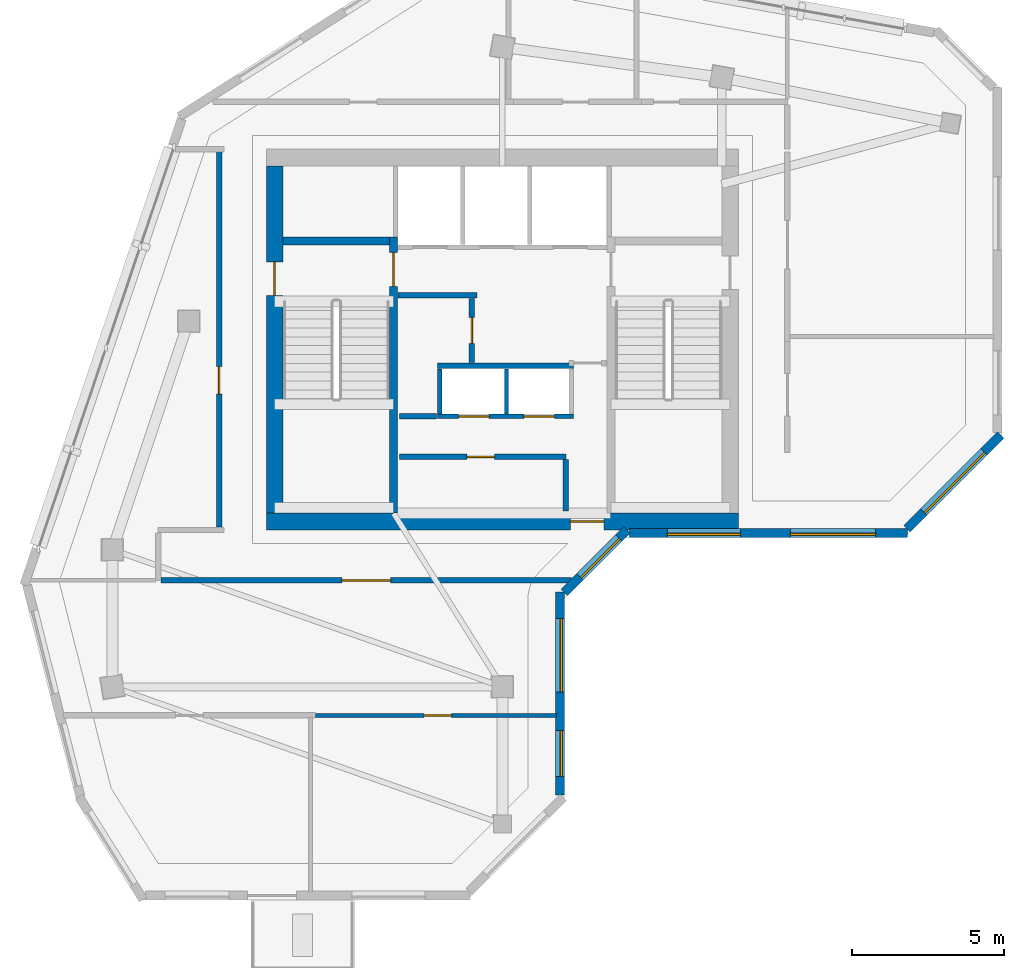
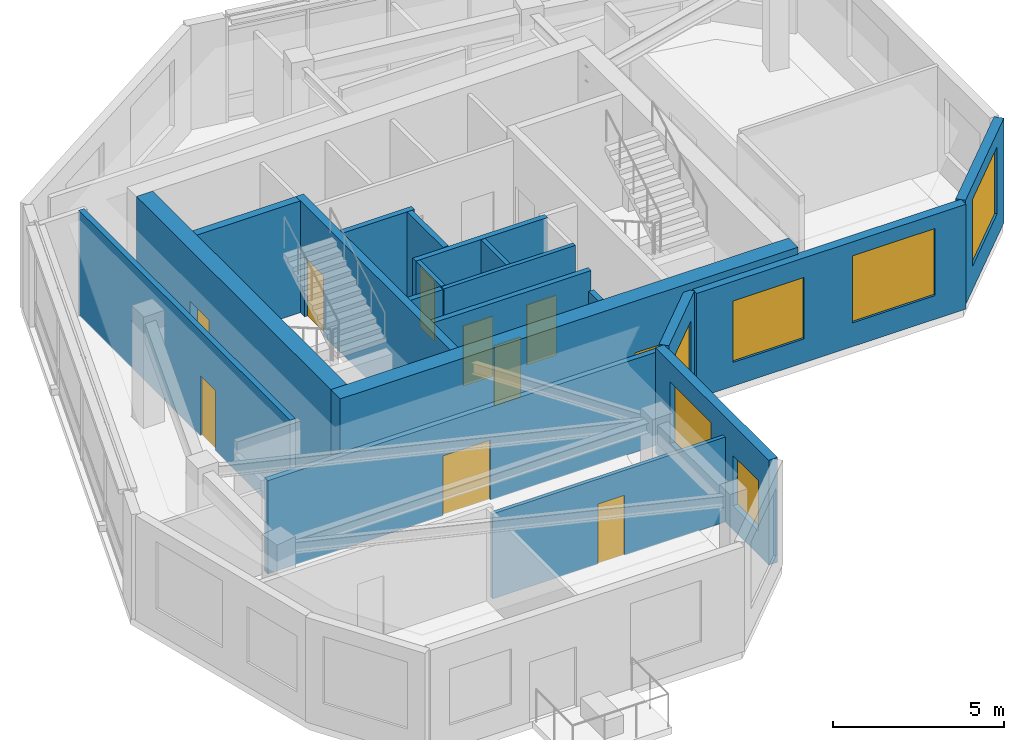
# One storey, part 3 of 8: 20 walls, 10 doors, 6 windows, 16 openings.
"""IFC4 building model written with IfcOpenShell, lengths in metres."""

from ifc_helpers import new_model, si_unit, direction, frame, frame_2d, origin, place, context, subcontext, project, spatial, rectangle, extrude, source, transform, mapped, material, layer, layer_set, type_object, element, fill, save


model = new_model("IFC4")

# Units and contexts
model_context = context("Model", 3, precision=1e-05, world=origin(), true_north=direction((0.0, 1.0)))
body_context = subcontext(model_context, "Body", "Model", "MODEL_VIEW")
ifc_project = project(units=[si_unit("LENGTHUNIT", "METRE"), si_unit("AREAUNIT", "SQUARE_METRE"), si_unit("VOLUMEUNIT", "CUBIC_METRE"), si_unit("PLANEANGLEUNIT", "RADIAN"), si_unit("MASSUNIT", "GRAM", prefix="KILO")], contexts=[model_context])

# Site, building, storey
site_placement = place(None, origin())
site = spatial("IfcSite", under=ifc_project, at=site_placement, CompositionType="ELEMENT")
building_placement = place(site_placement, origin())
building = spatial("IfcBuilding", under=site, at=building_placement, Name="Calvemar Wedge Station Tower", CompositionType="ELEMENT")
storey_placement = place(building_placement, frame((0.0, 0.0, 292.5)))
storey = spatial("IfcBuildingStorey", under=building, at=storey_placement, Name="L75", CompositionType="ELEMENT", Elevation=292.5)

# Wall, opening, door
ifc_material_1 = material(Name="Concrete C50", Category="concrete")
ifc_layer_1 = layer(ifc_material_1, 0.260009765625)
ifc_layer_set_1 = layer_set([ifc_layer_1], Name="Concrete C50")
wall_type_1 = type_object("IfcWallType", Name="SW-CORE-260", PredefinedType="SHEAR", material=ifc_layer_set_1)
wall_1_placement = place(storey_placement, frame((20.22998046875, 34.199951171875, 0.0), z_axis=(0.0, 0.0, 1.0), x_axis=(0.0, 1.0, 0.0)))
wall_1 = element("IfcWall", 1, at=wall_1_placement, inside=storey, type_object=wall_type_1, Name="Storey L75 Core Shear Wall SPINE-W", PredefinedType="SHEAR", context=body_context, shape_type="SweptSolid", body=[
    extrude(rectangle(XDim=9.06005859375, YDim=0.260009765625, at=frame_2d((4.530029296875, 0.0))), origin(), (0.0, 0.0, 1.0), 4.0),
])
shared_shape_1 = source(origin(), body_context, "Body", "SweptSolid", [
    extrude(rectangle(XDim=1.10009765625, YDim=2.14990234375, at=frame_2d((0.550048828125, 1.074951171875))), frame((0.0, 0.14013671875, 0.0), z_axis=(0.0, -1.0, 0.0), x_axis=(1.0, 0.0, 0.0)), (0.0, 0.0, 1.0), 0.280029296875),
])
opening_1_placement = place(wall_1_placement, frame((7.449951171875, 0.0, 0.0)))
opening_1 = element("IfcOpeningElement", 2, at=opening_1_placement, cuts=wall_1, Name="Opening FD-90", PredefinedType="OPENING", context=body_context, shape_type="MappedRepresentation", body=[
    mapped(shared_shape_1, transform((0.0, 0.0, 0.0), scale=1.0)),
])
ifc_material_2 = material(Name="Galvanized fire-rated steel door leaf P-90", Category="steel")
door_type_1 = type_object("IfcDoorType", Name="DR-FD90-1100", OperationType="NOTDEFINED", PredefinedType="DOOR", material=ifc_material_2)
shared_shape_2 = source(origin(), body_context, "Body", "SweptSolid", [
    extrude(rectangle(XDim=1.10009765625, YDim=2.14990234375, at=frame_2d((0.550048828125, 1.074951171875))), frame((0.0, 0.02490234375, 0.0), z_axis=(0.0, -1.0, 0.0), x_axis=(1.0, 0.0, 0.0)), (0.0, 0.0, 1.0), 0.050048828125),
])
door_1_placement = place(opening_1_placement, origin())
door_1 = element("IfcDoor", 3, at=door_1_placement, inside=storey, type_object=door_type_1, Name="L75 FF Lobby to Stair ST-C1 Door", OperationType="SINGLE_SWING_LEFT", OverallHeight=2.14990234375, OverallWidth=1.10009765625, PredefinedType="DOOR", context=body_context, shape_type="MappedRepresentation", body=[
    mapped(shared_shape_2, transform((0.0, 0.0, 0.0), scale=1.0)),
])
fill(opening_1, door_1)

# Wall
wall_2_placement = place(storey_placement, frame((16.60009765625, 43.1298828125, 0.0), z_axis=(0.0, 0.0, 1.0), x_axis=(1.0, 0.0, 0.0)))
element("IfcWall", 4, at=wall_2_placement, inside=storey, type_object=wall_type_1, Name="Storey L75 Core Shear Wall STC1-N", PredefinedType="SHEAR", context=body_context, shape_type="SweptSolid", body=[
    extrude(rectangle(XDim=3.5, YDim=0.260009765625, at=frame_2d((1.75, 0.0))), origin(), (0.0, 0.0, 1.0), 4.0),
])

# Wall, opening, door
ifc_material_3 = material(Name="Concrete C60", Category="concrete")
ifc_layer_2 = layer(ifc_material_3, 0.550048828125)
ifc_layer_set_2 = layer_set([ifc_layer_2], Name="Concrete C60")
wall_type_2 = type_object("IfcWallType", Name="SW-CORE-550", PredefinedType="SHEAR", material=ifc_layer_set_2)
wall_3_placement = place(storey_placement, frame((16.050048828125, 33.925048828125, 0.0), z_axis=(0.0, 0.0, 1.0), x_axis=(1.0, 0.0, 0.0)))
wall_3 = element("IfcWall", 5, at=wall_3_placement, inside=storey, type_object=wall_type_2, Name="Storey L75 Core Shear Wall S", PredefinedType="SHEAR", context=body_context, shape_type="SweptSolid", body=[
    extrude(rectangle(XDim=15.5, YDim=0.550048828125, at=frame_2d((7.75, 0.0))), origin(), (0.0, 0.0, 1.0), 4.0),
])
shared_shape_3 = source(origin(), body_context, "Body", "SweptSolid", [
    extrude(rectangle(XDim=1.10009765625, YDim=2.14990234375, at=frame_2d((0.550048828125, 1.074951171875))), frame((0.0, 0.28515625, 0.0), z_axis=(0.0, -1.0, 0.0), x_axis=(1.0, 0.0, 0.0)), (0.0, 0.0, 1.0), 0.570068359375),
])
opening_2_placement = place(wall_3_placement, frame((9.97998046875, 0.0, 0.0)))
opening_2 = element("IfcOpeningElement", 6, at=opening_2_placement, cuts=wall_3, Name="Opening FD-90", PredefinedType="OPENING", context=body_context, shape_type="MappedRepresentation", body=[
    mapped(shared_shape_3, transform((0.0, 0.0, 0.0), scale=1.0)),
])
door_2_placement = place(opening_2_placement, origin())
door_2 = element("IfcDoor", 7, at=door_2_placement, inside=storey, type_object=door_type_1, Name="L75 Passenger Lift Lobby Door", OperationType="SINGLE_SWING_LEFT", OverallHeight=2.14990234375, OverallWidth=1.10009765625, PredefinedType="DOOR", context=body_context, shape_type="MappedRepresentation", body=[
    mapped(shared_shape_2, transform((0.0, 0.0, 0.0), scale=1.0)),
])
fill(opening_2, door_2)

wall_4_placement = place(storey_placement, frame((16.324951171875, 34.199951171875, 0.0), z_axis=(0.0, 0.0, 1.0), x_axis=(0.0, 1.0, 0.0)))
wall_4 = element("IfcWall", 8, at=wall_4_placement, inside=storey, type_object=wall_type_2, Name="Storey L75 Core Shear Wall W", PredefinedType="SHEAR", context=body_context, shape_type="SweptSolid", body=[
    extrude(rectangle(XDim=11.400146484375, YDim=0.550048828125, at=frame_2d((5.7001953125, 0.0))), origin(), (0.0, 0.0, 1.0), 4.0),
])
opening_3_placement = place(wall_4_placement, frame((7.14990234375, 0.0, 0.0)))
opening_3 = element("IfcOpeningElement", 9, at=opening_3_placement, cuts=wall_4, Name="Opening FD-90", PredefinedType="OPENING", context=body_context, shape_type="MappedRepresentation", body=[
    mapped(shared_shape_3, transform((0.0, 0.0, 0.0), scale=1.0)),
])
door_3_placement = place(opening_3_placement, origin())
door_3 = element("IfcDoor", 10, at=door_3_placement, inside=storey, type_object=door_type_1, Name="L75 West Corridor to Exit Stair ST-C1 Door", OperationType="SINGLE_SWING_LEFT", OverallHeight=2.14990234375, OverallWidth=1.10009765625, PredefinedType="DOOR", context=body_context, shape_type="MappedRepresentation", body=[
    mapped(shared_shape_2, transform((0.0, 0.0, 0.0), scale=1.0)),
])
fill(opening_3, door_3)

# Wall
ifc_material_4 = material(Name="Double-stud fire-rated corridor partition")
ifc_layer_3 = layer(ifc_material_4, 0.179931640625)
ifc_layer_set_3 = layer_set([ifc_layer_3], Name="Double-stud fire-rated corridor partition")
wall_type_3 = type_object("IfcWallType", Name="W-CORR-180", PredefinedType="PARTITIONING", material=ifc_layer_set_3)
wall_5_placement = place(storey_placement, frame((22.9599609375, 41.35009765625, 0.0), z_axis=(0.0, 0.0, 1.0), x_axis=(-1.0, 0.0, 0.0)))
element("IfcWall", 11, at=wall_5_placement, inside=storey, type_object=wall_type_3, Name="Storey L75 Interior Partition WL-L75-001", PredefinedType="PARTITIONING", context=body_context, shape_type="SweptSolid", body=[
    extrude(rectangle(XDim=2.580078125, YDim=0.179931640625, at=frame_2d((1.2900390625, 0.0))), origin(), (0.0, 0.0, 1.0), 3.75),
])

# Wall, opening, door
wall_6_placement = place(storey_placement, frame((22.800048828125, 41.256103515625, 0.0), z_axis=(0.0, 0.0, 1.0), x_axis=(0.0, -1.0, 0.0)))
wall_6 = element("IfcWall", 12, at=wall_6_placement, inside=storey, type_object=wall_type_3, Name="Storey L75 Interior Partition WL-L75-002", PredefinedType="PARTITIONING", context=body_context, shape_type="SweptSolid", body=[
    extrude(rectangle(XDim=2.106201171875, YDim=0.179931640625, at=frame_2d((1.05322265625, 0.0))), origin(), (0.0, 0.0, 1.0), 3.75),
])
shared_shape_4 = source(origin(), body_context, "Body", "SweptSolid", [
    extrude(rectangle(XDim=0.85009765625, YDim=2.14990234375, at=frame_2d((0.425048828125, 1.074951171875))), frame((0.0, 0.10009765625, 0.0), z_axis=(0.0, -1.0, 0.0), x_axis=(1.0, 0.0, 0.0)), (0.0, 0.0, 1.0), 0.199951171875),
])
opening_4_placement = place(wall_6_placement, frame((0.6279296875, 0.0, 0.0)))
opening_4 = element("IfcOpeningElement", 13, at=opening_4_placement, cuts=wall_6, Name="Opening FD-60S", PredefinedType="OPENING", context=body_context, shape_type="MappedRepresentation", body=[
    mapped(shared_shape_4, transform((0.0, 0.0, 0.0), scale=1.0)),
])
ifc_material_5 = material(Name="Fire-rated steel and hardwood service door EI 60", Category="steel")
door_type_2 = type_object("IfcDoorType", Name="DR-CORE-FD60-850", OperationType="NOTDEFINED", PredefinedType="DOOR", material=ifc_material_5)
shared_shape_5 = source(origin(), body_context, "Body", "SweptSolid", [
    extrude(rectangle(XDim=0.85009765625, YDim=2.14990234375, at=frame_2d((0.425048828125, 1.074951171875))), frame((0.0, 0.02490234375, 0.0), z_axis=(0.0, -1.0, 0.0), x_axis=(1.0, 0.0, 0.0)), (0.0, 0.0, 1.0), 0.050048828125),
])
door_4_placement = place(opening_4_placement, origin())
door_4 = element("IfcDoor", 14, at=door_4_placement, inside=storey, type_object=door_type_2, Name="L75 Core Electrical Switch Room Door", OperationType="SINGLE_SWING_RIGHT", OverallHeight=2.14990234375, OverallWidth=0.85009765625, PredefinedType="DOOR", context=body_context, shape_type="MappedRepresentation", body=[
    mapped(shared_shape_5, transform((0.0, 0.0, 0.0), scale=1.0)),
])
fill(opening_4, door_4)

# Wall
wall_7_placement = place(storey_placement, frame((21.6298828125, 37.3798828125, 0.0), z_axis=(0.0, 0.0, 1.0), x_axis=(-1.0, 0.0, 0.0)))
element("IfcWall", 15, at=wall_7_placement, inside=storey, type_object=wall_type_3, Name="Storey L75 Interior Partition WL-L75-003", PredefinedType="PARTITIONING", context=body_context, shape_type="SweptSolid", body=[
    extrude(rectangle(XDim=1.2099609375, YDim=0.179931640625, at=frame_2d((0.60498046875, 0.0))), origin(), (0.0, 0.0, 1.0), 3.75),
])

# Wall, opening, door
wall_8_placement = place(storey_placement, frame((20.419921875, 36.050048828125, 0.0), z_axis=(0.0, 0.0, 1.0), x_axis=(1.0, 0.0, 0.0)))
wall_8 = element("IfcWall", 16, at=wall_8_placement, inside=storey, type_object=wall_type_3, Name="Storey L75 Interior Partition WL-L75-005", PredefinedType="PARTITIONING", context=body_context, shape_type="SweptSolid", body=[
    extrude(rectangle(XDim=5.4599609375, YDim=0.179931640625, at=frame_2d((2.72998046875, 0.0))), origin(), (0.0, 0.0, 1.0), 3.75),
])
shared_shape_6 = source(origin(), body_context, "Body", "SweptSolid", [
    extrude(rectangle(XDim=0.89990234375, YDim=2.14990234375, at=frame_2d((0.449951171875, 1.074951171875))), frame((0.0, 0.10009765625, 0.0), z_axis=(0.0, -1.0, 0.0), x_axis=(1.0, 0.0, 0.0)), (0.0, 0.0, 1.0), 0.199951171875),
])
opening_5_placement = place(wall_8_placement, frame((2.219482421875, 0.0, 0.0)))
opening_5 = element("IfcOpeningElement", 17, at=opening_5_placement, cuts=wall_8, Name="Opening FD-60", PredefinedType="OPENING", context=body_context, shape_type="MappedRepresentation", body=[
    mapped(shared_shape_6, transform((0.0, 0.0, 0.0), scale=1.0)),
])
ifc_material_6 = material(Name="Fire-rated acoustic timber-core entrance door EI 60", Category="wood")
door_type_3 = type_object("IfcDoorType", Name="DR-FD60-900", OperationType="NOTDEFINED", PredefinedType="DOOR", material=ifc_material_6)
shared_shape_7 = source(origin(), body_context, "Body", "SweptSolid", [
    extrude(rectangle(XDim=0.89990234375, YDim=2.14990234375, at=frame_2d((0.449951171875, 1.074951171875))), frame((0.0, 0.02490234375, 0.0), z_axis=(0.0, -1.0, 0.0), x_axis=(1.0, 0.0, 0.0)), (0.0, 0.0, 1.0), 0.050048828125),
])
door_5_placement = place(opening_5_placement, origin())
door_5 = element("IfcDoor", 18, at=door_5_placement, inside=storey, type_object=door_type_3, Name="L75 Wine and Parcel Store Door", OperationType="SINGLE_SWING_RIGHT", OverallHeight=2.14990234375, OverallWidth=0.89990234375, PredefinedType="DOOR", context=body_context, shape_type="MappedRepresentation", body=[
    mapped(shared_shape_7, transform((0.0, 0.0, 0.0), scale=1.0)),
])
fill(opening_5, door_5)

# Wall
wall_9_placement = place(storey_placement, frame((25.8798828125, 35.9560546875, 0.0), z_axis=(0.0, 0.0, 1.0), x_axis=(0.0, -1.0, 0.0)))
element("IfcWall", 19, at=wall_9_placement, inside=storey, type_object=wall_type_3, Name="Storey L75 Interior Partition WL-L75-006", PredefinedType="PARTITIONING", context=body_context, shape_type="SweptSolid", body=[
    extrude(rectangle(XDim=1.68603515625, YDim=0.179931640625, at=frame_2d((0.843017578125, 0.0))), origin(), (0.0, 0.0, 1.0), 3.0419921875),
])

# Wall, opening, door
wall_10_placement = place(storey_placement, frame((26.065185546875, 32.0, 0.0), z_axis=(0.0, 0.0, 1.0), x_axis=(-1.0, 0.0, 0.0)))
wall_10 = element("IfcWall", 20, at=wall_10_placement, inside=storey, type_object=wall_type_3, Name="Storey L75 Interior Partition WL-L75-009", PredefinedType="PARTITIONING", context=body_context, shape_type="SweptSolid", body=[
    extrude(rectangle(XDim=13.47119140625, YDim=0.179931640625, at=frame_2d((6.735595703125, 0.0))), origin(), (0.0, 0.0, 1.0), 3.3349609375),
])
shared_shape_8 = source(origin(), body_context, "Body", "SweptSolid", [
    extrude(rectangle(XDim=1.60009765625, YDim=2.14990234375, at=frame_2d((0.800048828125, 1.074951171875))), frame((0.0, 0.10009765625, 0.0), z_axis=(0.0, -1.0, 0.0), x_axis=(1.0, 0.0, 0.0)), (0.0, 0.0, 1.0), 0.199951171875),
])
opening_6_placement = place(wall_10_placement, frame((5.935546875, 0.0, 0.0)))
opening_6 = element("IfcOpeningElement", 21, at=opening_6_placement, cuts=wall_10, Name="Opening DD-160", PredefinedType="OPENING", context=body_context, shape_type="MappedRepresentation", body=[
    mapped(shared_shape_8, transform((0.0, 0.0, 0.0), scale=1.0)),
])
ifc_material_7 = material(Name="Double-leaf fire-rated lobby door EI 60")
door_type_4 = type_object("IfcDoorType", Name="DR-DBL-1600", OperationType="DOUBLE_DOOR_SINGLE_SWING", PredefinedType="DOOR", material=ifc_material_7)
shared_shape_9 = source(origin(), body_context, "Body", "SweptSolid", [
    extrude(rectangle(XDim=1.60009765625, YDim=2.14990234375, at=frame_2d((0.800048828125, 1.074951171875))), frame((0.0, 0.02490234375, 0.0), z_axis=(0.0, -1.0, 0.0), x_axis=(1.0, 0.0, 0.0)), (0.0, 0.0, 1.0), 0.050048828125),
])
door_6_placement = place(opening_6_placement, origin())
door_6 = element("IfcDoor", 22, at=door_6_placement, inside=storey, type_object=door_type_4, Name="L75 Summit Panoramic Restaurant Door", OperationType="SINGLE_SWING_LEFT", OverallHeight=2.14990234375, OverallWidth=1.60009765625, PredefinedType="DOOR", context=body_context, shape_type="MappedRepresentation", body=[
    mapped(shared_shape_9, transform((0.0, 0.0, 0.0), scale=1.0)),
])
fill(opening_6, door_6)

wall_11_placement = place(storey_placement, frame((14.5, 33.743896484375, 0.0), z_axis=(0.0, 0.0, 1.0), x_axis=(0.0, 1.0, 0.0)))
wall_11 = element("IfcWall", 23, at=wall_11_placement, inside=storey, type_object=wall_type_3, Name="Storey L75 Interior Partition WL-L75-010", PredefinedType="PARTITIONING", context=body_context, shape_type="SweptSolid", body=[
    extrude(rectangle(XDim=12.406005859375, YDim=0.179931640625, at=frame_2d((6.203125, 0.0))), origin(), (0.0, 0.0, 1.0), 3.75),
])
opening_7_placement = place(wall_11_placement, frame((4.36962890625, 0.0, 0.0)))
opening_7 = element("IfcOpeningElement", 24, at=opening_7_placement, cuts=wall_11, Name="Opening D-01", PredefinedType="OPENING", context=body_context, shape_type="MappedRepresentation", body=[
    mapped(shared_shape_6, transform((0.0, 0.0, 0.0), scale=1.0)),
])
ifc_material_8 = material(Name="Architectural hardwood acoustic swing door", Category="wood")
door_type_5 = type_object("IfcDoorType", Name="DR-INT-900", OperationType="NOTDEFINED", PredefinedType="DOOR", material=ifc_material_8)
shared_shape_10 = source(origin(), body_context, "Body", "SweptSolid", [
    extrude(rectangle(XDim=0.89990234375, YDim=2.14990234375, at=frame_2d((0.449951171875, 1.074951171875))), frame((0.0, 0.02490234375, 0.0), z_axis=(0.0, -1.0, 0.0), x_axis=(1.0, 0.0, 0.0)), (0.0, 0.0, 1.0), 0.050048828125),
])
door_7_placement = place(opening_7_placement, origin())
door_7 = element("IfcDoor", 25, at=door_7_placement, inside=storey, type_object=door_type_5, Name="L75 Resident Reading Lounge Door", OperationType="SINGLE_SWING_LEFT", OverallHeight=2.14990234375, OverallWidth=0.89990234375, PredefinedType="DOOR", context=body_context, shape_type="MappedRepresentation", body=[
    mapped(shared_shape_10, transform((0.0, 0.0, 0.0), scale=1.0)),
])
fill(opening_7, door_7)

# Wall, openings, windows
ifc_material_9 = material(Name="Precast concrete C45", Category="concrete")
ifc_layer_4 = layer(ifc_material_9, 0.300048828125)
ifc_layer_set_4 = layer_set([ifc_layer_4], Name="Precast concrete C45")
wall_type_4 = type_object("IfcWallType", Name="W-EXT-GFRC-300", PredefinedType="SOLIDWALL", material=ifc_layer_set_4)
wall_12_placement = place(storey_placement, frame((25.68994140625, 24.957275390625, 0.0), z_axis=(0.0, 0.0, 1.0), x_axis=(0.0, 1.0, 0.0)))
wall_12 = element("IfcWall", 26, at=wall_12_placement, inside=storey, type_object=wall_type_4, Name="Storey L75 Bronze GFRC Exterior Wall 4", PredefinedType="SOLIDWALL", context=body_context, shape_type="SweptSolid", body=[
    extrude(rectangle(XDim=6.65478515625, YDim=0.300048828125, at=frame_2d((3.327392578125, 0.0))), origin(), (0.0, 0.0, 1.0), 3.75),
])
shared_shape_11 = source(origin(), body_context, "Body", "SweptSolid", [
    extrude(rectangle(XDim=1.5, YDim=1.800048828125, at=frame_2d((0.75, 0.89990234375))), frame((0.0, 0.16015625, 0.0), z_axis=(0.0, -1.0, 0.0), x_axis=(1.0, 0.0, 0.0)), (0.0, 0.0, 1.0), 0.320068359375),
])
opening_8_placement = place(wall_12_placement, frame((0.60400390625, 0.0, 0.85009765625)))
opening_8 = element("IfcOpeningElement", 27, at=opening_8_placement, cuts=wall_12, Name="Opening W3", PredefinedType="OPENING", context=body_context, shape_type="MappedRepresentation", body=[
    mapped(shared_shape_11, transform((0.0, 0.0, 0.0), scale=1.0)),
])
shared_shape_12 = source(origin(), body_context, "Body", "SweptSolid", [
    extrude(rectangle(XDim=2.39990234375, YDim=2.199951171875, at=frame_2d((1.199951171875, 1.10009765625))), frame((0.0, 0.16015625, 0.0), z_axis=(0.0, -1.0, 0.0), x_axis=(1.0, 0.0, 0.0)), (0.0, 0.0, 1.0), 0.320068359375),
])
opening_9_placement = place(wall_12_placement, frame((3.381103515625, 0.0, 0.85009765625)))
opening_9 = element("IfcOpeningElement", 28, at=opening_9_placement, cuts=wall_12, Name="Opening W1", PredefinedType="OPENING", context=body_context, shape_type="MappedRepresentation", body=[
    mapped(shared_shape_12, transform((0.0, 0.0, 0.0), scale=1.0)),
])
ifc_material_10 = material(Name="Low-E laminated insulated glass", Category="glass")
window_type_1 = type_object("IfcWindowType", Name="WIN-EXT-1", PartitioningType="SINGLE_PANEL", PredefinedType="WINDOW", material=ifc_material_10)
shared_shape_13 = source(origin(), body_context, "Body", "SweptSolid", [
    extrude(rectangle(XDim=2.39990234375, YDim=2.199951171875, at=frame_2d((1.199951171875, 1.10009765625))), frame((0.0, -0.014892578125, 0.0), z_axis=(0.0, -1.0, 0.0), x_axis=(1.0, 0.0, 0.0)), (0.0, 0.0, 1.0), 0.06005859375),
])
window_1_placement = place(opening_9_placement, origin())
window_1 = element("IfcWindow", 29, at=window_1_placement, inside=storey, type_object=window_type_1, Name="Storey L75 Recessed Window 4.2", OverallHeight=2.199951171875, OverallWidth=2.39990234375, PartitioningType="SINGLE_PANEL", PredefinedType="WINDOW", context=body_context, shape_type="MappedRepresentation", body=[
    mapped(shared_shape_13, transform((0.0, 0.0, 0.0), scale=1.0)),
])
fill(opening_9, window_1)
window_type_2 = type_object("IfcWindowType", Name="WIN-EXT-3", PartitioningType="SINGLE_PANEL", PredefinedType="WINDOW", material=ifc_material_10)
shared_shape_14 = source(origin(), body_context, "Body", "SweptSolid", [
    extrude(rectangle(XDim=1.5, YDim=1.800048828125, at=frame_2d((0.75, 0.89990234375))), frame((0.0, -0.014892578125, 0.0), z_axis=(0.0, -1.0, 0.0), x_axis=(1.0, 0.0, 0.0)), (0.0, 0.0, 1.0), 0.06005859375),
])
window_2_placement = place(opening_8_placement, origin())
window_2 = element("IfcWindow", 30, at=window_2_placement, inside=storey, type_object=window_type_2, Name="Storey L75 Recessed Window 4.1", OverallHeight=1.800048828125, OverallWidth=1.5, PartitioningType="SINGLE_PANEL", PredefinedType="WINDOW", context=body_context, shape_type="MappedRepresentation", body=[
    mapped(shared_shape_14, transform((0.0, 0.0, 0.0), scale=1.0)),
])
fill(opening_8, window_2)

# Wall, opening, window
wall_13_placement = place(storey_placement, frame((25.827880859375, 31.60009765625, 0.0), z_axis=(0.0, 0.0, 1.0), x_axis=(0.707106781187, 0.707106781187, 0.0)))
wall_13 = element("IfcWall", 31, at=wall_13_placement, inside=storey, type_object=wall_type_4, Name="Storey L75 Bronze GFRC Exterior Wall 5", PredefinedType="SOLIDWALL", context=body_context, shape_type="SweptSolid", body=[
    extrude(rectangle(XDim=2.907470703125, YDim=0.300048828125, at=frame_2d((1.45361328125, 0.0))), origin(), (0.0, 0.0, 1.0), 3.75),
])
shared_shape_15 = source(origin(), body_context, "Body", "SweptSolid", [
    extrude(rectangle(XDim=1.800048828125, YDim=2.10009765625, at=frame_2d((0.89990234375, 1.050048828125))), frame((0.0, 0.16015625, 0.0), z_axis=(0.0, -1.0, 0.0), x_axis=(1.0, 0.0, 0.0)), (0.0, 0.0, 1.0), 0.320068359375),
])
opening_10_placement = place(wall_13_placement, frame((0.72900390625, 0.0, 0.85009765625)))
opening_10 = element("IfcOpeningElement", 32, at=opening_10_placement, cuts=wall_13, Name="Opening W2", PredefinedType="OPENING", context=body_context, shape_type="MappedRepresentation", body=[
    mapped(shared_shape_15, transform((0.0, 0.0, 0.0), scale=1.0)),
])
window_type_3 = type_object("IfcWindowType", Name="WIN-EXT-2", PartitioningType="SINGLE_PANEL", PredefinedType="WINDOW", material=ifc_material_10)
shared_shape_16 = source(origin(), body_context, "Body", "SweptSolid", [
    extrude(rectangle(XDim=1.800048828125, YDim=2.10009765625, at=frame_2d((0.89990234375, 1.050048828125))), frame((0.0, -0.014892578125, 0.0), z_axis=(0.0, -1.0, 0.0), x_axis=(1.0, 0.0, 0.0)), (0.0, 0.0, 1.0), 0.06005859375),
])
window_3_placement = place(opening_10_placement, origin())
window_3 = element("IfcWindow", 33, at=window_3_placement, inside=storey, type_object=window_type_3, Name="Storey L75 Recessed Window 5.1", OverallHeight=2.10009765625, OverallWidth=1.800048828125, PartitioningType="SINGLE_PANEL", PredefinedType="WINDOW", context=body_context, shape_type="MappedRepresentation", body=[
    mapped(shared_shape_16, transform((0.0, 0.0, 0.0), scale=1.0)),
])
fill(opening_10, window_3)

# Wall, openings, windows
wall_14_placement = place(storey_placement, frame((27.972900390625, 33.550048828125, 0.0), z_axis=(0.0, 0.0, 1.0), x_axis=(1.0, 0.0, 0.0)))
wall_14 = element("IfcWall", 34, at=wall_14_placement, inside=storey, type_object=wall_type_4, Name="Storey L75 Bronze GFRC Exterior Wall 6", PredefinedType="SOLIDWALL", context=body_context, shape_type="SweptSolid", body=[
    extrude(rectangle(XDim=9.114990234375, YDim=0.300048828125, at=frame_2d((4.5576171875, 0.0))), origin(), (0.0, 0.0, 1.0), 3.75),
])
opening_11_placement = place(wall_14_placement, frame((1.239013671875, 0.0, 0.85009765625)))
opening_11 = element("IfcOpeningElement", 35, at=opening_11_placement, cuts=wall_14, Name="Opening W1", PredefinedType="OPENING", context=body_context, shape_type="MappedRepresentation", body=[
    mapped(shared_shape_12, transform((0.0, 0.0, 0.0), scale=1.0)),
])
shared_shape_17 = source(origin(), body_context, "Body", "SweptSolid", [
    extrude(rectangle(XDim=2.800048828125, YDim=2.39990234375, at=frame_2d((1.39990234375, 1.199951171875))), frame((0.0, 0.16015625, 0.0), z_axis=(0.0, -1.0, 0.0), x_axis=(1.0, 0.0, 0.0)), (0.0, 0.0, 1.0), 0.320068359375),
])
opening_12_placement = place(wall_14_placement, frame((5.27587890625, 0.0, 0.85009765625)))
opening_12 = element("IfcOpeningElement", 36, at=opening_12_placement, cuts=wall_14, Name="Opening W6", PredefinedType="OPENING", context=body_context, shape_type="MappedRepresentation", body=[
    mapped(shared_shape_17, transform((0.0, 0.0, 0.0), scale=1.0)),
])
window_type_4 = type_object("IfcWindowType", Name="WIN-EXT-6", PartitioningType="SINGLE_PANEL", PredefinedType="WINDOW", material=ifc_material_10)
shared_shape_18 = source(origin(), body_context, "Body", "SweptSolid", [
    extrude(rectangle(XDim=2.800048828125, YDim=2.39990234375, at=frame_2d((1.39990234375, 1.199951171875))), frame((0.0, -0.014892578125, 0.0), z_axis=(0.0, -1.0, 0.0), x_axis=(1.0, 0.0, 0.0)), (0.0, 0.0, 1.0), 0.06005859375),
])
window_4_placement = place(opening_12_placement, origin())
window_4 = element("IfcWindow", 37, at=window_4_placement, inside=storey, type_object=window_type_4, Name="Storey L75 Recessed Window 6.2", OverallHeight=2.39990234375, OverallWidth=2.800048828125, PartitioningType="SINGLE_PANEL", PredefinedType="WINDOW", context=body_context, shape_type="MappedRepresentation", body=[
    mapped(shared_shape_18, transform((0.0, 0.0, 0.0), scale=1.0)),
])
fill(opening_12, window_4)
window_5_placement = place(opening_11_placement, origin())
window_5 = element("IfcWindow", 38, at=window_5_placement, inside=storey, type_object=window_type_1, Name="Storey L75 Recessed Window 6.1", OverallHeight=2.199951171875, OverallWidth=2.39990234375, PartitioningType="SINGLE_PANEL", PredefinedType="WINDOW", context=body_context, shape_type="MappedRepresentation", body=[
    mapped(shared_shape_13, transform((0.0, 0.0, 0.0), scale=1.0)),
])
fill(opening_11, window_5)

# Wall, opening, window
wall_15_placement = place(storey_placement, frame((37.075927734375, 33.68798828125, 0.0), z_axis=(0.0, 0.0, 1.0), x_axis=(0.707078757535, 0.707134803727, 0.0)))
wall_15 = element("IfcWall", 39, at=wall_15_placement, inside=storey, type_object=wall_type_4, Name="Storey L75 Bronze GFRC Exterior Wall 7", PredefinedType="SOLIDWALL", context=body_context, shape_type="SweptSolid", body=[
    extrude(rectangle(XDim=4.35595703125, YDim=0.300048828125, at=frame_2d((2.177978515625, 0.0))), origin(), (0.0, 0.0, 1.0), 3.75),
])
opening_13_placement = place(wall_15_placement, frame((0.778076171875, 0.0, 0.85009765625)))
opening_13 = element("IfcOpeningElement", 40, at=opening_13_placement, cuts=wall_15, Name="Opening W6", PredefinedType="OPENING", context=body_context, shape_type="MappedRepresentation", body=[
    mapped(shared_shape_17, transform((0.0, 0.0, 0.0), scale=1.0)),
])
window_6_placement = place(opening_13_placement, origin())
window_6 = element("IfcWindow", 41, at=window_6_placement, inside=storey, type_object=window_type_4, Name="Storey L75 Recessed Window 7.1", OverallHeight=2.39990234375, OverallWidth=2.800048828125, PartitioningType="SINGLE_PANEL", PredefinedType="WINDOW", context=body_context, shape_type="MappedRepresentation", body=[
    mapped(shared_shape_18, transform((0.0, 0.0, 0.0), scale=1.0)),
])
fill(opening_13, window_6)

# Wall, openings, doors
ifc_material_11 = material(Name="Reinforced concrete blockwork lift shaft wall", Category="masonry")
ifc_layer_5 = layer(ifc_material_11, 0.139892578125)
ifc_layer_set_5 = layer_set([ifc_layer_5], Name="Reinforced concrete blockwork lift shaft wall")
wall_type_5 = type_object("IfcWallType", Name="W-LIFT-160", PredefinedType="SOLIDWALL", material=ifc_layer_set_5)
wall_16_placement = place(storey_placement, frame((21.669921875, 37.3798828125, 0.0), z_axis=(0.0, 0.0, 1.0), x_axis=(1.0, 0.0, 0.0)))
wall_16 = element("IfcWall", 42, at=wall_16_placement, inside=storey, type_object=wall_type_5, Name="Storey L75 Upper Passenger Lift Bank Front Wall", PredefinedType="SOLIDWALL", context=body_context, shape_type="SweptSolid", body=[
    extrude(rectangle(XDim=4.4599609375, YDim=0.139892578125, at=frame_2d((2.22998046875, 0.0))), origin(), (0.0, 0.0, 1.0), 3.75),
])
shared_shape_19 = source(origin(), body_context, "Body", "SweptSolid", [
    extrude(rectangle(XDim=1.0, YDim=2.14990234375, at=frame_2d((0.5, 1.074951171875))), frame((0.0, 0.080078125, 0.0), z_axis=(0.0, -1.0, 0.0), x_axis=(1.0, 0.0, 0.0)), (0.0, 0.0, 1.0), 0.159912109375),
])
opening_14_placement = place(wall_16_placement, frame((0.695068359375, 0.0, 0.0)))
opening_14 = element("IfcOpeningElement", 43, at=opening_14_placement, cuts=wall_16, Name="Opening LD-PAX", PredefinedType="OPENING", context=body_context, shape_type="MappedRepresentation", body=[
    mapped(shared_shape_19, transform((0.0, 0.0, 0.0), scale=1.0)),
])
opening_15_placement = place(wall_16_placement, frame((2.8349609375, 0.0, 0.0)))
opening_15 = element("IfcOpeningElement", 44, at=opening_15_placement, cuts=wall_16, Name="Opening LD-PAX", PredefinedType="OPENING", context=body_context, shape_type="MappedRepresentation", body=[
    mapped(shared_shape_19, transform((0.0, 0.0, 0.0), scale=1.0)),
])
ifc_material_12 = material(Name="Anodised bronze passenger lift sliding landing door")
door_type_6 = type_object("IfcDoorType", Name="DR-LD-PAX-1000", OperationType="SLIDING_TO_LEFT", PredefinedType="DOOR", material=ifc_material_12)
shared_shape_20 = source(origin(), body_context, "Body", "SweptSolid", [
    extrude(rectangle(XDim=1.0, YDim=2.14990234375, at=frame_2d((0.5, 1.074951171875))), frame((0.0, 0.02490234375, 0.0), z_axis=(0.0, -1.0, 0.0), x_axis=(1.0, 0.0, 0.0)), (0.0, 0.0, 1.0), 0.050048828125),
])
door_8_placement = place(opening_14_placement, origin())
door_8 = element("IfcDoor", 45, at=door_8_placement, inside=storey, type_object=door_type_6, Name="L75 Lift RH-02 Sliding Landing Door", OperationType="SLIDING_TO_RIGHT", OverallHeight=2.14990234375, OverallWidth=1.0, PredefinedType="DOOR", context=body_context, shape_type="MappedRepresentation", body=[
    mapped(shared_shape_20, transform((0.0, 0.0, 0.0), scale=1.0)),
])
fill(opening_14, door_8)
door_9_placement = place(opening_15_placement, origin())
door_9 = element("IfcDoor", 46, at=door_9_placement, inside=storey, type_object=door_type_6, Name="L75 Lift RH-03 Sliding Landing Door", OperationType="SLIDING_TO_LEFT", OverallHeight=2.14990234375, OverallWidth=1.0, PredefinedType="DOOR", context=body_context, shape_type="MappedRepresentation", body=[
    mapped(shared_shape_20, transform((0.0, 0.0, 0.0), scale=1.0)),
])
fill(opening_15, door_9)

# Walls
for number, where, z_axis, x_axis, name in (
    (47, (21.739990234375, 37.4599609375, 0.0), (0.0, 0.0, 1.0), (0.0, 1.0, 0.0), "Storey L75 Upper Passenger Lift Shaft Wall W"),
    (48, (23.93505859375, 37.4599609375, 0.0), (0.0, 0.0, 1.0), (0.0, 1.0, 0.0), "Storey L75 Upper Passenger Lift Shaft Wall D1"),
):
    element("IfcWall", number, at=place(storey_placement, frame(where, z_axis=z_axis, x_axis=x_axis)), inside=storey, type_object=wall_type_5, Name=name, PredefinedType="SOLIDWALL", context=body_context, shape_type="SweptSolid", body=[
        extrude(rectangle(XDim=1.47998046875, YDim=0.139892578125, at=frame_2d((0.739990234375, 0.0))), origin(), (0.0, 0.0, 1.0), 3.75),
    ])

# Wall, opening, door
ifc_material_13 = material(Name="Insulated acoustic gypsum stud partition")
ifc_layer_6 = layer(ifc_material_13, 0.125)
ifc_layer_set_6 = layer_set([ifc_layer_6], Name="Insulated acoustic gypsum stud partition")
wall_type_6 = type_object("IfcWallType", Name="W-PART-125", PredefinedType="PARTITIONING", material=ifc_layer_set_6)
wall_17_placement = place(storey_placement, frame((25.574951171875, 27.56494140625, 0.0), z_axis=(0.0, 0.0, 1.0), x_axis=(-1.0, 0.0, 0.0)))
wall_17 = element("IfcWall", 49, at=wall_17_placement, inside=storey, type_object=wall_type_6, Name="Storey L75 Interior Partition WL-L75-024", PredefinedType="PARTITIONING", context=body_context, shape_type="SweptSolid", body=[
    extrude(rectangle(XDim=7.912841796875, YDim=0.125, at=frame_2d((3.95654296875, 0.0))), origin(), (0.0, 0.0, 1.0), 3.0419921875),
])
shared_shape_21 = source(origin(), body_context, "Body", "SweptSolid", [
    extrude(rectangle(XDim=0.89990234375, YDim=2.14990234375, at=frame_2d((0.449951171875, 1.074951171875))), frame((0.0, 0.072509765625, 0.0), z_axis=(0.0, -1.0, 0.0), x_axis=(1.0, 0.0, 0.0)), (0.0, 0.0, 1.0), 0.14501953125),
])
opening_16_placement = place(wall_17_placement, frame((3.445556640625, 0.0, 0.0)))
opening_16 = element("IfcOpeningElement", 50, at=opening_16_placement, cuts=wall_17, Name="Opening D-01", PredefinedType="OPENING", context=body_context, shape_type="MappedRepresentation", body=[
    mapped(shared_shape_21, transform((0.0, 0.0, 0.0), scale=1.0)),
])
door_10_placement = place(opening_16_placement, origin())
door_10 = element("IfcDoor", 51, at=door_10_placement, inside=storey, type_object=door_type_5, Name="L75 Observatory Operations Office Door", OperationType="SINGLE_SWING_LEFT", OverallHeight=2.14990234375, OverallWidth=0.89990234375, PredefinedType="DOOR", context=body_context, shape_type="MappedRepresentation", body=[
    mapped(shared_shape_10, transform((0.0, 0.0, 0.0), scale=1.0)),
])
fill(opening_16, door_10)

# Wall
ifc_material_14 = material(Name="Concrete blockwork and fireboard shaft wall", Category="masonry")
ifc_layer_7 = layer(ifc_material_14, 0.199951171875)
ifc_layer_set_7 = layer_set([ifc_layer_7], Name="Concrete blockwork and fireboard shaft wall")
wall_type_7 = type_object("IfcWallType", Name="W-SHAFT-200", PredefinedType="SOLIDWALL", material=ifc_layer_set_7)
wall_18_placement = place(storey_placement, frame((21.669921875, 39.0400390625, 0.0), z_axis=(0.0, 0.0, 1.0), x_axis=(1.0, 0.0, 0.0)))
element("IfcWall", 52, at=wall_18_placement, inside=storey, type_object=wall_type_7, Name="Storey L75 Upper Passenger Lift Bank Rear Shaft Wall", PredefinedType="SOLIDWALL", context=body_context, shape_type="SweptSolid", body=[
    extrude(rectangle(XDim=4.4599609375, YDim=0.179931640625, at=frame_2d((2.22998046875, 0.0))), origin(), (0.0, 0.0, 1.0), 3.75),
])

save(model, "model.ifc")
